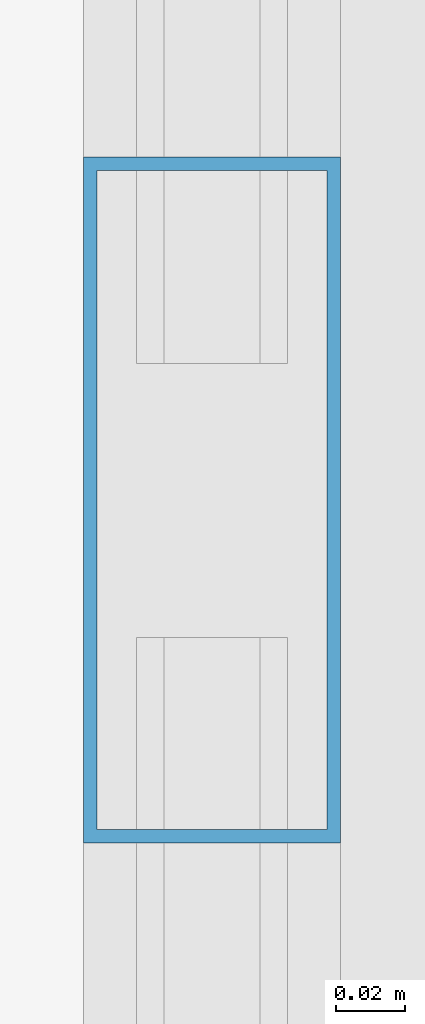
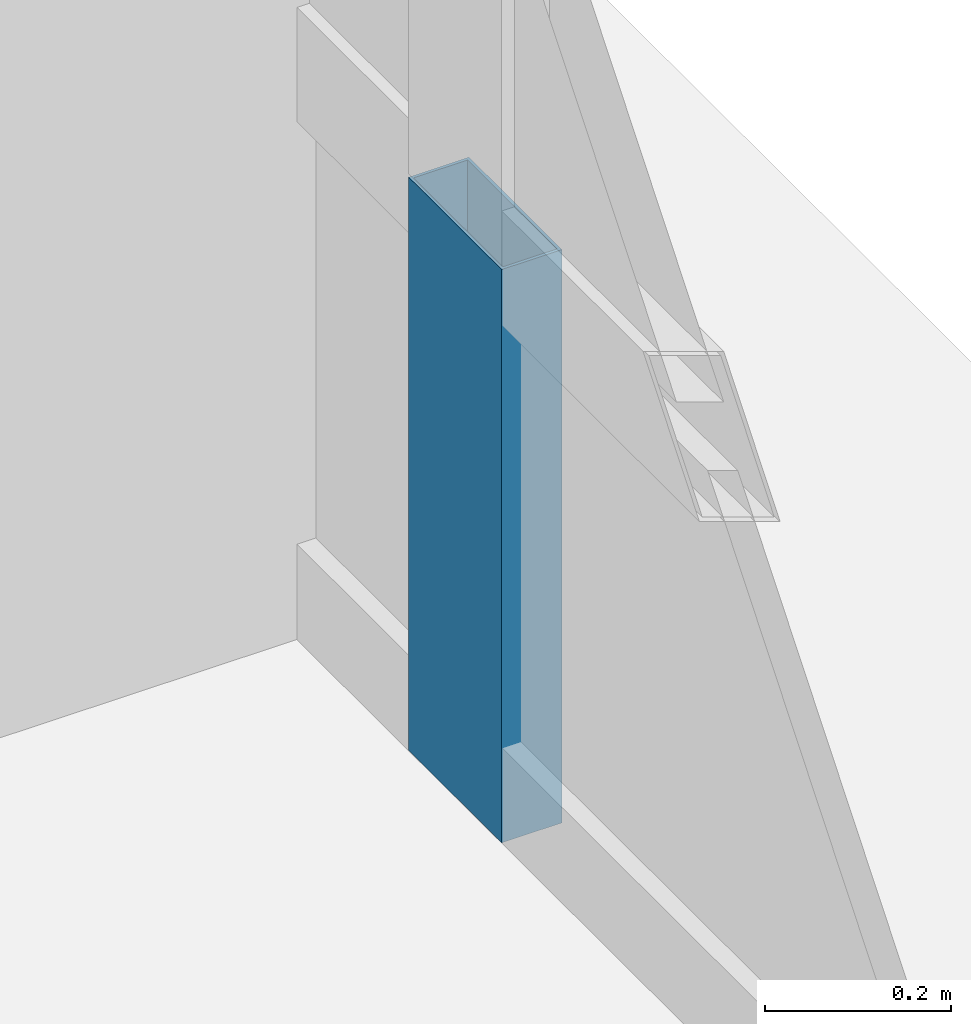
# One storey, part 25 of 34: 1 member, 1 element without a shape of its own.
"""IFC4 building model written with IfcOpenShell, lengths in metres."""

import ifcopenshell
import ifcopenshell.guid

model = None  # the IFC model being written
_history = None  # IfcOwnerHistory: only IFC2X3 demands one
_inside = {}  # id of a spatial element -> (the spatial element, [elements in it])
_under = {}  # id of a project, library or spatial element -> (it, [spatial elements below it])
_declared = {}  # id of a project -> (the project, [libraries it declares])
_typed = {}  # id of a type object -> (the type object, [elements of that type])
_made_of = {}  # id of a material, layer set ... -> (it, [elements and type objects made of it])


def new_model(schema):
    """Start an empty IFC model of exactly this schema.

    Asked for "IFC4X3", IfcOpenShell would pick the latest addendum, in which some entities
    have other attributes; the version numbers below select the first issue.
    IFC2X3 requires an IfcOwnerHistory on every rooted entity: one is made here for all.
    """
    global model, _history
    if schema == "IFC4X3":
        model = ifcopenshell.file(schema_version=(4, 3, 0, 0))
    else:
        model = ifcopenshell.file(schema=schema)
    _inside.clear()
    _under.clear()
    _declared.clear()
    _typed.clear()
    _made_of.clear()
    _history = None
    if model.schema == "IFC2X3":
        org = make("IfcOrganization", Name="unknown")
        user = make(
            "IfcPersonAndOrganization",
            ThePerson=make("IfcPerson", FamilyName="unknown"),
            TheOrganization=org,
        )
        app = make(
            "IfcApplication",
            ApplicationDeveloper=org,
            Version="unknown",
            ApplicationFullName="unknown",
            ApplicationIdentifier="unknown",
        )
        _history = make(
            "IfcOwnerHistory",
            OwningUser=user,
            OwningApplication=app,
            ChangeAction="ADDED",
            CreationDate=0,
        )
    return model


def make(cls, **values):
    """One entity of the class cls with the attributes given. An attribute that is None is left unset."""
    return model.create_entity(
        cls, **{name: value for name, value in values.items() if value is not None}
    )


def rooted(cls, **values):
    """An entity with a GlobalId (a new one), such as an element, a storey or a relation."""
    return make(cls, GlobalId=ifcopenshell.guid.new(), OwnerHistory=_history, **values)


def si_unit(unit_type, name, prefix=None):
    """IfcSIUnit, for example si_unit("LENGTHUNIT", "METRE", prefix="MILLI")."""
    return make("IfcSIUnit", UnitType=unit_type, Prefix=prefix, Name=name)


def assignment(units):
    """IfcUnitAssignment: the units of a project."""
    return None if units is None else make("IfcUnitAssignment", Units=units)


def point(xyz):
    """IfcCartesianPoint."""
    return None if xyz is None else make("IfcCartesianPoint", Coordinates=xyz)


def direction(xyz):
    """IfcDirection."""
    return None if xyz is None else make("IfcDirection", DirectionRatios=xyz)


def frame(location, z_axis=None, x_axis=None):
    """IfcAxis2Placement3D, a coordinate frame: its origin and axes. An axis left out is left unset."""
    return make(
        "IfcAxis2Placement3D",
        Location=point(location),
        Axis=direction(z_axis),
        RefDirection=direction(x_axis),
    )


def frame_2d(location, x_axis=None):
    """IfcAxis2Placement2D, a coordinate frame in the plane: its origin and x axis."""
    return make(
        "IfcAxis2Placement2D", Location=point(location), RefDirection=direction(x_axis)
    )


def origin():
    """The frame at (0, 0, 0) with its axes left unset."""
    return frame((0.0, 0.0, 0.0))


def origin_2d():
    """The frame at (0, 0) in the plane with its x axis left unset."""
    return frame_2d((0.0, 0.0))


def place(relative_to, where):
    """IfcLocalPlacement: puts the frame where relative to a parent placement (None: the world)."""
    return make(
        "IfcLocalPlacement", PlacementRelTo=relative_to, RelativePlacement=where
    )


def context(
    kind, dimensions, precision=None, world=None, true_north=None, identifier=None
):
    """IfcGeometricRepresentationContext, for example the 3D "Model" context."""
    return make(
        "IfcGeometricRepresentationContext",
        ContextIdentifier=identifier,
        ContextType=kind,
        CoordinateSpaceDimension=dimensions,
        Precision=precision,
        WorldCoordinateSystem=world,
        TrueNorth=true_north,
    )


def subcontext(parent, identifier, kind, view, scale=None):
    """IfcGeometricRepresentationSubContext, for example "Body" below "Model"."""
    return make(
        "IfcGeometricRepresentationSubContext",
        ContextIdentifier=identifier,
        ContextType=kind,
        ParentContext=parent,
        TargetScale=scale,
        TargetView=view,
    )


def project(units=None, contexts=None):
    """IfcProject with its units and contexts."""
    return rooted(
        "IfcProject",
        Name="project",
        RepresentationContexts=contexts,
        UnitsInContext=assignment(units),
    )


def spatial(cls, under=None, at=None, **own):
    """A site, building, storey or space (cls), placed at a placement, below another one or the project."""
    s = rooted(cls, ObjectPlacement=at, **own)
    if under is not None:
        _under.setdefault(under.id(), (under, []))[1].append(s)
    return s


def profile(cls, at=None, kind="AREA", **sizes):
    """A parametric profile (cls). Its sizes go by their IFC names, for example OverallWidth=200.0."""
    return make(cls, ProfileType=kind, Position=at, **sizes)


def hollow_rectangle(**sizes):
    """IfcRectangleHollowProfileDef."""
    return profile("IfcRectangleHollowProfileDef", **sizes)


def extrude(swept, where, along, depth):
    """IfcExtrudedAreaSolid: the profile swept, set in the frame where, extruded along a direction by depth."""
    return make(
        "IfcExtrudedAreaSolid",
        SweptArea=swept,
        Position=where,
        ExtrudedDirection=direction(along),
        Depth=depth,
    )


def shape(context_of_items, identifier, shape_type, items):
    """IfcShapeRepresentation: the items that make up one representation, for example the "Body"."""
    return make(
        "IfcShapeRepresentation",
        ContextOfItems=context_of_items,
        RepresentationIdentifier=identifier,
        RepresentationType=shape_type,
        Items=items,
    )


def source(mapping_origin, context_of_items, identifier, shape_type, items):
    """IfcRepresentationMap: a shape defined once, which mapped items show again and again."""
    return make(
        "IfcRepresentationMap",
        MappingOrigin=mapping_origin,
        MappedRepresentation=shape(context_of_items, identifier, shape_type, items),
    )


def transform(
    local_origin,
    x_axis=None,
    y_axis=None,
    z_axis=None,
    scale=None,
    scale2=None,
    scale3=None,
    uniform=True,
):
    """IfcCartesianTransformationOperator3D, or its non-uniform kind. x_axis, y_axis, z_axis: its Axis1, 2, 3."""
    if uniform:
        return make(
            "IfcCartesianTransformationOperator3D",
            Axis1=direction(x_axis),
            Axis2=direction(y_axis),
            LocalOrigin=point(local_origin),
            Scale=scale,
            Axis3=direction(z_axis),
        )
    return make(
        "IfcCartesianTransformationOperator3DnonUniform",
        Axis1=direction(x_axis),
        Axis2=direction(y_axis),
        LocalOrigin=point(local_origin),
        Scale=scale,
        Axis3=direction(z_axis),
        Scale2=scale2,
        Scale3=scale3,
    )


def mapped(mapping_source, mapping_target):
    """IfcMappedItem: shows the shape of a source again, moved by a transform."""
    return make(
        "IfcMappedItem", MappingSource=mapping_source, MappingTarget=mapping_target
    )


def material(Name=None, Category=None):
    """IfcMaterial."""
    return make("IfcMaterial", Name=Name, Category=Category)


def layer(
    of_material, thickness, ventilated=None, Name=None, Category=None, Priority=None
):
    """IfcMaterialLayer: one layer of a wall or slab, of a material (None: an air gap)."""
    return make(
        "IfcMaterialLayer",
        Material=of_material,
        LayerThickness=thickness,
        IsVentilated=ventilated,
        Name=Name,
        Category=Category,
        Priority=Priority,
    )


def layer_set(layers, Name=None):
    """IfcMaterialLayerSet."""
    return make("IfcMaterialLayerSet", MaterialLayers=layers, LayerSetName=Name)


def material_profile(
    of_material, cross_section, Name=None, Category=None, Priority=None
):
    """IfcMaterialProfile: a cross section and its material."""
    return make(
        "IfcMaterialProfile",
        Name=Name,
        Material=of_material,
        Profile=cross_section,
        Priority=Priority,
        Category=Category,
    )


def profile_set(profiles, Name=None, composite=None):
    """IfcMaterialProfileSet."""
    return make(
        "IfcMaterialProfileSet",
        Name=Name,
        MaterialProfiles=profiles,
        CompositeProfile=composite,
    )


def made_of(thing, what):
    """Note that an element or type object is made of a material, layer set ...; save() writes the relation."""
    if what is not None:
        _made_of.setdefault(what.id(), (what, []))[1].append(thing)
    return thing


def type_object(cls, material=None, **own):
    """A type object (cls), such as IfcWallType, which elements share."""
    return made_of(rooted(cls, **own), material)


def element(
    cls,
    number,
    at=None,
    inside=None,
    cuts=None,
    type_object=None,
    material=None,
    context=None,
    identifier="Body",
    shape_type=None,
    held_by="IfcProductDefinitionShape",
    body=None,
    shapes=None,
    **own,
):
    """One element of the class cls, such as IfcWall. Its Tag is "e" and its number.

    at: its placement. inside: the storey or other place that contains it. cuts: it is an
    opening in that element (IfcRelVoidsElement). A single representation is given by context,
    identifier, shape_type and body (its items); several are given by shapes. held_by: the class
    of the entity that holds the representations. save() writes the other relations.
    """
    e = rooted(cls, Tag="e%d" % number, ObjectPlacement=at, **own)
    if body is not None:
        shapes = [shape(context, identifier, shape_type, body)]
    if shapes is not None:
        e.Representation = make(held_by, Representations=shapes)
    if inside is not None:
        _inside.setdefault(inside.id(), (inside, []))[1].append(e)
    if cuts is not None:
        rooted(
            "IfcRelVoidsElement", RelatingBuildingElement=cuts, RelatedOpeningElement=e
        )
    if type_object is not None:
        _typed.setdefault(type_object.id(), (type_object, []))[1].append(e)
    return made_of(e, material)


def aggregate(whole, parts):
    """IfcRelAggregates: a whole, such as a stair, and the parts it consists of."""
    return rooted("IfcRelAggregates", RelatingObject=whole, RelatedObjects=parts)


def save(model, path):
    """Write the relations noted so far, then the file.

    IfcRelAggregates (storeys below a building ...), IfcRelContainedInSpatialStructure (elements
    in a storey), IfcRelDefinesByType, IfcRelAssociatesMaterial and IfcRelDeclares: one each for
    every whole, place, type object, material and project.
    """
    for whole, parts in _under.values():
        aggregate(whole, parts)
    for where, things in _inside.values():
        rooted(
            "IfcRelContainedInSpatialStructure",
            RelatedElements=things,
            RelatingStructure=where,
        )
    for kind, things in _typed.values():
        rooted("IfcRelDefinesByType", RelatedObjects=things, RelatingType=kind)
    for what, things in _made_of.values():
        rooted("IfcRelAssociatesMaterial", RelatedObjects=things, RelatingMaterial=what)
    for by, libraries in _declared.values():
        rooted("IfcRelDeclares", RelatingContext=by, RelatedDefinitions=libraries)
    model.write(path)


model = new_model("IFC4")

# Units and contexts
model_context = context("Model", 3, precision=1e-05, world=origin(), true_north=direction((0.0, 1.0)))
body_context = subcontext(model_context, "Body", "Model", "MODEL_VIEW")
ifc_project = project(units=[si_unit("LENGTHUNIT", "METRE"), si_unit("AREAUNIT", "SQUARE_METRE"), si_unit("VOLUMEUNIT", "CUBIC_METRE"), si_unit("PLANEANGLEUNIT", "RADIAN"), si_unit("MASSUNIT", "GRAM", prefix="KILO"), si_unit("THERMODYNAMICTEMPERATUREUNIT", "KELVIN"), si_unit("POWERUNIT", "WATT")], contexts=[model_context])

# Site, building, storey
site_placement = place(None, origin())
site = spatial("IfcSite", under=ifc_project, at=site_placement, CompositionType="ELEMENT")
building_placement = place(site_placement, origin())
building = spatial("IfcBuilding", under=site, at=building_placement, Name="Yuzanri Waterfront Tower", CompositionType="ELEMENT")
storey_placement = place(building_placement, frame((0.0, 0.0, 328.699951171875)))
storey = spatial("IfcBuildingStorey", under=building, at=storey_placement, Name="L88", CompositionType="ELEMENT", Elevation=328.699951171875)

# Curtain wall, member
ifc_material_1 = material(Name="Anodized Architectural Bronze", Category="metal")
ifc_layer = layer(ifc_material_1, 0.159912109375)
ifc_layer_set = layer_set([ifc_layer], Name="Anodized Architectural Bronze")
curtain_wall_type = type_object("IfcCurtainWallType", Name="Anodized Bronze High-Rise Penthouse High-Wind Unitized Curtain Wall 6900", PredefinedType="NOTDEFINED", material=ifc_layer_set)
curtain_wall_placement = place(storey_placement, origin())
curtain_wall = element("IfcCurtainWall", 1, at=curtain_wall_placement, inside=storey, type_object=curtain_wall_type, Name="L88 Curtain Wall CW-L88-ER", PredefinedType="NOTDEFINED")
ifc_material_2 = material(Name="Anodized Architectural Bronze", Category="metal")
ifc_material_profile = material_profile(ifc_material_2, hollow_rectangle(XDim=0.074951171875, YDim=0.199951171875, WallThickness=0.00390625, at=origin_2d()), Name="CWM 75x200")
ifc_profile_set = profile_set([ifc_material_profile], Name="Anodized Architectural Bronze")
member_type = type_object("IfcMemberType", Name="Anodized Bronze Primary Curtain-Wall Mullion 75x200", PredefinedType="MULLION", material=ifc_profile_set)
shared_shape = source(origin(), body_context, "Body", "SweptSolid", [
    extrude(hollow_rectangle(XDim=0.074951171875, YDim=0.199951171875, WallThickness=0.00390625, at=origin_2d()), origin(), (0.0, 0.0, 1.0), 0.751953125),
])
member_placement = place(storey_placement, frame((55.949951171875, 31.85009765625, 0.0), z_axis=(0.0, 0.0, 1.0), x_axis=(1.0, 0.0, 0.0)))
member = element("IfcMember", 2, at=member_placement, type_object=member_type, Name="CW-L88-ER Lower Mullion 01", PredefinedType="MULLION", context=body_context, shape_type="MappedRepresentation", body=[
    mapped(shared_shape, transform((0.0, 0.0, 0.0), scale=1.0)),
])
aggregate(curtain_wall, [member])

save(model, "model.ifc")
